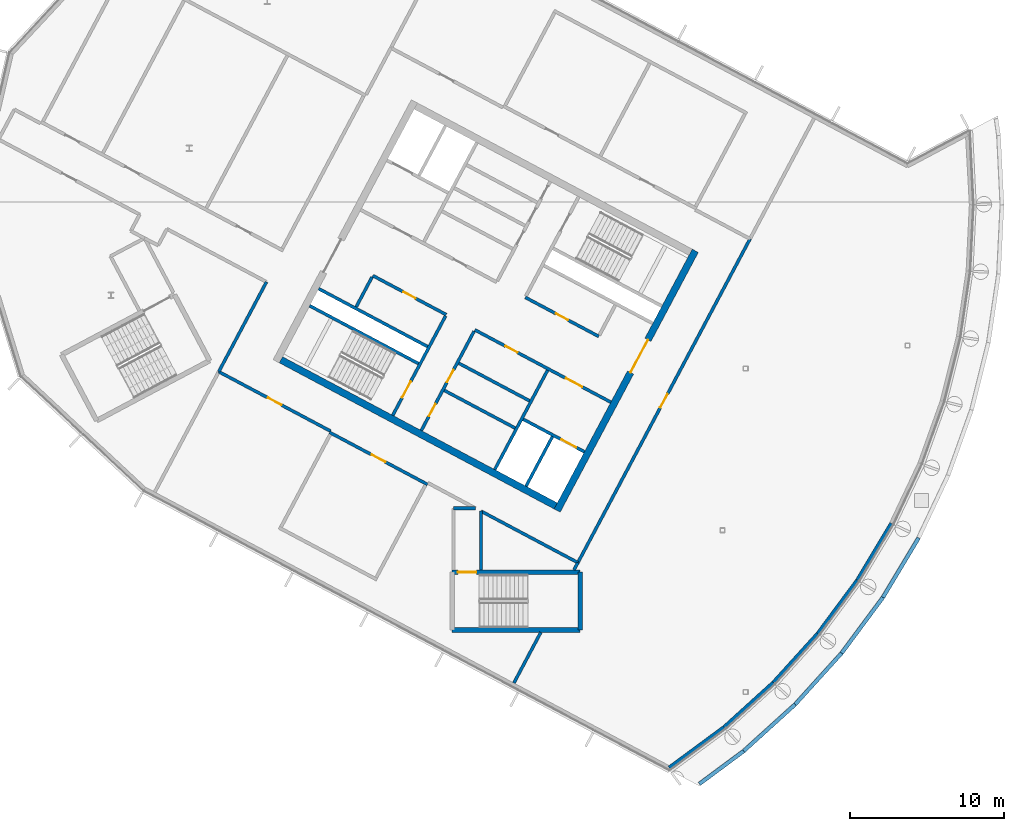
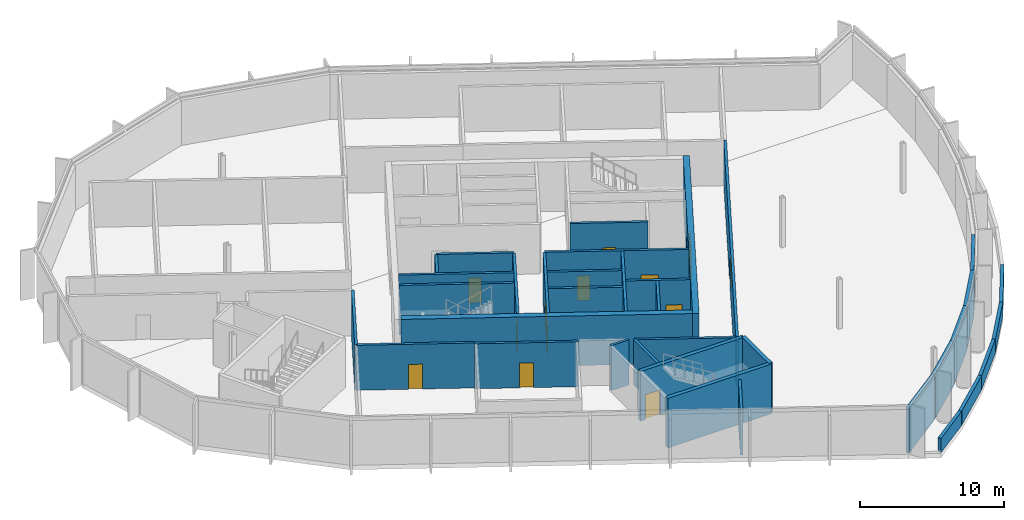
# One storey, part 6 of 15: 37 walls, 13 doors, 13 openings.
"""IFC4 building model written with IfcOpenShell, lengths in metres."""

import ifcopenshell
import ifcopenshell.guid

model = None  # the IFC model being written
_history = None  # IfcOwnerHistory: only IFC2X3 demands one
_inside = {}  # id of a spatial element -> (the spatial element, [elements in it])
_under = {}  # id of a project, library or spatial element -> (it, [spatial elements below it])
_declared = {}  # id of a project -> (the project, [libraries it declares])
_typed = {}  # id of a type object -> (the type object, [elements of that type])
_made_of = {}  # id of a material, layer set ... -> (it, [elements and type objects made of it])


def new_model(schema):
    """Start an empty IFC model of exactly this schema.

    Asked for "IFC4X3", IfcOpenShell would pick the latest addendum, in which some entities
    have other attributes; the version numbers below select the first issue.
    IFC2X3 requires an IfcOwnerHistory on every rooted entity: one is made here for all.
    """
    global model, _history
    if schema == "IFC4X3":
        model = ifcopenshell.file(schema_version=(4, 3, 0, 0))
    else:
        model = ifcopenshell.file(schema=schema)
    _inside.clear()
    _under.clear()
    _declared.clear()
    _typed.clear()
    _made_of.clear()
    _history = None
    if model.schema == "IFC2X3":
        org = make("IfcOrganization", Name="unknown")
        user = make(
            "IfcPersonAndOrganization",
            ThePerson=make("IfcPerson", FamilyName="unknown"),
            TheOrganization=org,
        )
        app = make(
            "IfcApplication",
            ApplicationDeveloper=org,
            Version="unknown",
            ApplicationFullName="unknown",
            ApplicationIdentifier="unknown",
        )
        _history = make(
            "IfcOwnerHistory",
            OwningUser=user,
            OwningApplication=app,
            ChangeAction="ADDED",
            CreationDate=0,
        )
    return model


def make(cls, **values):
    """One entity of the class cls with the attributes given. An attribute that is None is left unset."""
    return model.create_entity(
        cls, **{name: value for name, value in values.items() if value is not None}
    )


def rooted(cls, **values):
    """An entity with a GlobalId (a new one), such as an element, a storey or a relation."""
    return make(cls, GlobalId=ifcopenshell.guid.new(), OwnerHistory=_history, **values)


def si_unit(unit_type, name, prefix=None):
    """IfcSIUnit, for example si_unit("LENGTHUNIT", "METRE", prefix="MILLI")."""
    return make("IfcSIUnit", UnitType=unit_type, Prefix=prefix, Name=name)


def assignment(units):
    """IfcUnitAssignment: the units of a project."""
    return None if units is None else make("IfcUnitAssignment", Units=units)


def point(xyz):
    """IfcCartesianPoint."""
    return None if xyz is None else make("IfcCartesianPoint", Coordinates=xyz)


def direction(xyz):
    """IfcDirection."""
    return None if xyz is None else make("IfcDirection", DirectionRatios=xyz)


def frame(location, z_axis=None, x_axis=None):
    """IfcAxis2Placement3D, a coordinate frame: its origin and axes. An axis left out is left unset."""
    return make(
        "IfcAxis2Placement3D",
        Location=point(location),
        Axis=direction(z_axis),
        RefDirection=direction(x_axis),
    )


def frame_2d(location, x_axis=None):
    """IfcAxis2Placement2D, a coordinate frame in the plane: its origin and x axis."""
    return make(
        "IfcAxis2Placement2D", Location=point(location), RefDirection=direction(x_axis)
    )


def origin():
    """The frame at (0, 0, 0) with its axes left unset."""
    return frame((0.0, 0.0, 0.0))


def place(relative_to, where):
    """IfcLocalPlacement: puts the frame where relative to a parent placement (None: the world)."""
    return make(
        "IfcLocalPlacement", PlacementRelTo=relative_to, RelativePlacement=where
    )


def context(
    kind, dimensions, precision=None, world=None, true_north=None, identifier=None
):
    """IfcGeometricRepresentationContext, for example the 3D "Model" context."""
    return make(
        "IfcGeometricRepresentationContext",
        ContextIdentifier=identifier,
        ContextType=kind,
        CoordinateSpaceDimension=dimensions,
        Precision=precision,
        WorldCoordinateSystem=world,
        TrueNorth=true_north,
    )


def subcontext(parent, identifier, kind, view, scale=None):
    """IfcGeometricRepresentationSubContext, for example "Body" below "Model"."""
    return make(
        "IfcGeometricRepresentationSubContext",
        ContextIdentifier=identifier,
        ContextType=kind,
        ParentContext=parent,
        TargetScale=scale,
        TargetView=view,
    )


def project(units=None, contexts=None):
    """IfcProject with its units and contexts."""
    return rooted(
        "IfcProject",
        Name="project",
        RepresentationContexts=contexts,
        UnitsInContext=assignment(units),
    )


def spatial(cls, under=None, at=None, **own):
    """A site, building, storey or space (cls), placed at a placement, below another one or the project."""
    s = rooted(cls, ObjectPlacement=at, **own)
    if under is not None:
        _under.setdefault(under.id(), (under, []))[1].append(s)
    return s


def profile(cls, at=None, kind="AREA", **sizes):
    """A parametric profile (cls). Its sizes go by their IFC names, for example OverallWidth=200.0."""
    return make(cls, ProfileType=kind, Position=at, **sizes)


def rectangle(**sizes):
    """IfcRectangleProfileDef."""
    return profile("IfcRectangleProfileDef", **sizes)


def extrude(swept, where, along, depth):
    """IfcExtrudedAreaSolid: the profile swept, set in the frame where, extruded along a direction by depth."""
    return make(
        "IfcExtrudedAreaSolid",
        SweptArea=swept,
        Position=where,
        ExtrudedDirection=direction(along),
        Depth=depth,
    )


def shape(context_of_items, identifier, shape_type, items):
    """IfcShapeRepresentation: the items that make up one representation, for example the "Body"."""
    return make(
        "IfcShapeRepresentation",
        ContextOfItems=context_of_items,
        RepresentationIdentifier=identifier,
        RepresentationType=shape_type,
        Items=items,
    )


def material(Name=None, Category=None):
    """IfcMaterial."""
    return make("IfcMaterial", Name=Name, Category=Category)


def layer(
    of_material, thickness, ventilated=None, Name=None, Category=None, Priority=None
):
    """IfcMaterialLayer: one layer of a wall or slab, of a material (None: an air gap)."""
    return make(
        "IfcMaterialLayer",
        Material=of_material,
        LayerThickness=thickness,
        IsVentilated=ventilated,
        Name=Name,
        Category=Category,
        Priority=Priority,
    )


def layer_set(layers, Name=None):
    """IfcMaterialLayerSet."""
    return make("IfcMaterialLayerSet", MaterialLayers=layers, LayerSetName=Name)


def made_of(thing, what):
    """Note that an element or type object is made of a material, layer set ...; save() writes the relation."""
    if what is not None:
        _made_of.setdefault(what.id(), (what, []))[1].append(thing)
    return thing


def type_object(cls, material=None, **own):
    """A type object (cls), such as IfcWallType, which elements share."""
    return made_of(rooted(cls, **own), material)


def element(
    cls,
    number,
    at=None,
    inside=None,
    cuts=None,
    type_object=None,
    material=None,
    context=None,
    identifier="Body",
    shape_type=None,
    held_by="IfcProductDefinitionShape",
    body=None,
    shapes=None,
    **own,
):
    """One element of the class cls, such as IfcWall. Its Tag is "e" and its number.

    at: its placement. inside: the storey or other place that contains it. cuts: it is an
    opening in that element (IfcRelVoidsElement). A single representation is given by context,
    identifier, shape_type and body (its items); several are given by shapes. held_by: the class
    of the entity that holds the representations. save() writes the other relations.
    """
    e = rooted(cls, Tag="e%d" % number, ObjectPlacement=at, **own)
    if body is not None:
        shapes = [shape(context, identifier, shape_type, body)]
    if shapes is not None:
        e.Representation = make(held_by, Representations=shapes)
    if inside is not None:
        _inside.setdefault(inside.id(), (inside, []))[1].append(e)
    if cuts is not None:
        rooted(
            "IfcRelVoidsElement", RelatingBuildingElement=cuts, RelatedOpeningElement=e
        )
    if type_object is not None:
        _typed.setdefault(type_object.id(), (type_object, []))[1].append(e)
    return made_of(e, material)


def fill(opening, filler):
    """IfcRelFillsElement: the door or window that sits in an opening."""
    return rooted(
        "IfcRelFillsElement",
        RelatingOpeningElement=opening,
        RelatedBuildingElement=filler,
    )


def aggregate(whole, parts):
    """IfcRelAggregates: a whole, such as a stair, and the parts it consists of."""
    return rooted("IfcRelAggregates", RelatingObject=whole, RelatedObjects=parts)


def save(model, path):
    """Write the relations noted so far, then the file.

    IfcRelAggregates (storeys below a building ...), IfcRelContainedInSpatialStructure (elements
    in a storey), IfcRelDefinesByType, IfcRelAssociatesMaterial and IfcRelDeclares: one each for
    every whole, place, type object, material and project.
    """
    for whole, parts in _under.values():
        aggregate(whole, parts)
    for where, things in _inside.values():
        rooted(
            "IfcRelContainedInSpatialStructure",
            RelatedElements=things,
            RelatingStructure=where,
        )
    for kind, things in _typed.values():
        rooted("IfcRelDefinesByType", RelatedObjects=things, RelatingType=kind)
    for what, things in _made_of.values():
        rooted("IfcRelAssociatesMaterial", RelatedObjects=things, RelatingMaterial=what)
    for by, libraries in _declared.values():
        rooted("IfcRelDeclares", RelatingContext=by, RelatedDefinitions=libraries)
    model.write(path)


model = new_model("IFC4")

# Units and contexts
model_context = context("Model", 3, precision=1e-05, world=origin(), true_north=direction((0.0, 1.0)))
body_context = subcontext(model_context, "Body", "Model", "MODEL_VIEW")
ifc_project = project(units=[si_unit("LENGTHUNIT", "METRE"), si_unit("AREAUNIT", "SQUARE_METRE"), si_unit("VOLUMEUNIT", "CUBIC_METRE"), si_unit("PLANEANGLEUNIT", "RADIAN"), si_unit("MASSUNIT", "GRAM", prefix="KILO")], contexts=[model_context])

# Site, building, storey
site_placement = place(None, origin())
site = spatial("IfcSite", under=ifc_project, at=site_placement, CompositionType="ELEMENT")
building_placement = place(site_placement, origin())
building = spatial("IfcBuilding", under=site, at=building_placement, Name="Cormorant Relay Tower", CompositionType="ELEMENT")
storey_placement = place(building_placement, frame((0.0, 0.0, 332.39990234375)))
storey = spatial("IfcBuildingStorey", under=building, at=storey_placement, Name="C2", CompositionType="ELEMENT", Elevation=332.39990234375)

# Walls
ifc_material_1 = material(Name="Concrete 40 MPa", Category="concrete")
ifc_layer_1 = layer(ifc_material_1, 0.199951171875)
ifc_layer_set_1 = layer_set([ifc_layer_1], Name="Core internal wall 200")
wall_type_1 = type_object("IfcWallType", Name="Core internal wall 200", PredefinedType="SOLIDWALL", material=ifc_layer_set_1)
wall_1_placement = place(storey_placement, frame((-25.46728515625, 6.632568359375, 0.0), z_axis=(0.0, 0.0, 1.0), x_axis=(-0.882953967957, 0.469459572775, 0.0)))
element("IfcWall", 1, at=wall_1_placement, inside=storey, type_object=wall_type_1, Name="C2 core A shaft and room wall", PredefinedType="SOLIDWALL", context=body_context, shape_type="SweptSolid", body=[
    extrude(rectangle(XDim=5.199951171875, YDim=0.199951171875, at=frame_2d((2.60009765625, 0.0))), origin(), (0.0, 0.0, 1.0), 4.2001953125),
])
ifc_material_2 = material(Name="Concrete 50 MPa", Category="concrete")
ifc_layer_2 = layer(ifc_material_2, 0.199951171875)
ifc_layer_set_2 = layer_set([ifc_layer_2], Name="Core shaft wall 200")
wall_type_2 = type_object("IfcWallType", Name="Core shaft wall 200", PredefinedType="SHEAR", material=ifc_layer_set_2)
wall_2_placement = place(storey_placement, frame((-23.04296875, 6.07958984375, 0.0), z_axis=(0.0, 0.0, 1.0), x_axis=(-0.469494272526, -0.882935517501, 0.0)))
element("IfcWall", 2, at=wall_2_placement, inside=storey, type_object=wall_type_2, Name="C2 core A shaft wall", PredefinedType="SHEAR", context=body_context, shape_type="SweptSolid", body=[
    extrude(rectangle(XDim=3.64990234375, YDim=0.199951171875, at=frame_2d((1.824951171875, 0.0))), origin(), (0.0, 0.0, 1.0), 4.2001953125),
])
wall_3_placement = place(storey_placement, frame((-23.360107421875, 10.38232421875, 0.0), z_axis=(0.0, 0.0, 1.0), x_axis=(-0.469480409012, -0.88294288918, 0.0)))
element("IfcWall", 3, at=wall_3_placement, inside=storey, type_object=wall_type_2, Name="C2 core A shaft wall", PredefinedType="SHEAR", context=body_context, shape_type="SweptSolid", body=[
    extrude(rectangle(XDim=7.300048828125, YDim=0.199951171875, at=frame_2d((3.64990234375, 0.0))), origin(), (0.0, 0.0, 1.0), 4.2001953125),
])

# Wall, openings, doors
wall_4_placement = place(storey_placement, frame((-28.128173828125, 12.91748046875, 0.0), z_axis=(0.0, 0.0, 1.0), x_axis=(-0.469454336211, -0.882956752176, 0.0)))
wall_4 = element("IfcWall", 4, at=wall_4_placement, inside=storey, type_object=wall_type_2, Name="C2 core A shaft wall", PredefinedType="SHEAR", context=body_context, shape_type="SweptSolid", body=[
    extrude(rectangle(XDim=7.300048828125, YDim=0.199951171875, at=frame_2d((3.64990234375, 0.0))), origin(), (0.0, 0.0, 1.0), 4.2001953125),
])
opening_1_placement = place(wall_4_placement, frame((2.85009765625, 0.0, 0.0)))
opening_1 = element("IfcOpeningElement", 5, at=opening_1_placement, cuts=wall_4, Name="Opening CDD-367", PredefinedType="OPENING", context=body_context, shape_type="SweptSolid", body=[
    extrude(rectangle(XDim=0.89990234375, YDim=2.10009765625, at=frame_2d((0.449951171875, 1.050048828125))), frame((0.0, 0.10986328125, 0.0), z_axis=(0.0, -1.0, 0.0), x_axis=(1.0, 0.0, 0.0)), (0.0, 0.0, 1.0), 0.219970703125),
])
opening_2_placement = place(wall_4_placement, frame((5.35009765625, 0.0, 0.0)))
opening_2 = element("IfcOpeningElement", 6, at=opening_2_placement, cuts=wall_4, Name="Opening CDD-368", PredefinedType="OPENING", context=body_context, shape_type="SweptSolid", body=[
    extrude(rectangle(XDim=0.89990234375, YDim=2.10009765625, at=frame_2d((0.449951171875, 1.050048828125))), frame((0.0, 0.10986328125, 0.0), z_axis=(0.0, -1.0, 0.0), x_axis=(1.0, 0.0, 0.0)), (0.0, 0.0, 1.0), 0.219970703125),
])
ifc_material_3 = material(Name="Steel fire door", Category="steel")
door_type_1 = type_object("IfcDoorType", Name="Core room door 900x2100", OperationType="SINGLE_SWING_LEFT", PredefinedType="DOOR", material=ifc_material_3)
door_1_placement = place(opening_1_placement, origin())
door_1 = element("IfcDoor", 7, at=door_1_placement, inside=storey, type_object=door_type_1, Name="Core room door 900x2100", OperationType="SINGLE_SWING_LEFT", OverallHeight=2.10009765625, OverallWidth=0.89990234375, PredefinedType="DOOR", context=body_context, shape_type="SweptSolid", body=[
    extrude(rectangle(XDim=0.89990234375, YDim=2.10009765625, at=frame_2d((0.449951171875, 1.050048828125))), frame((0.0, 0.02490234375, 0.0), z_axis=(0.0, -1.0, 0.0), x_axis=(1.0, 0.0, 0.0)), (0.0, 0.0, 1.0), 0.050048828125),
])
fill(opening_1, door_1)
door_2_placement = place(opening_2_placement, origin())
door_2 = element("IfcDoor", 8, at=door_2_placement, inside=storey, type_object=door_type_1, Name="Core room door 900x2100", OperationType="SINGLE_SWING_LEFT", OverallHeight=2.10009765625, OverallWidth=0.89990234375, PredefinedType="DOOR", context=body_context, shape_type="SweptSolid", body=[
    extrude(rectangle(XDim=0.89990234375, YDim=2.10009765625, at=frame_2d((0.449951171875, 1.050048828125))), frame((0.0, 0.02490234375, 0.0), z_axis=(0.0, -1.0, 0.0), x_axis=(1.0, 0.0, 0.0)), (0.0, 0.0, 1.0), 0.050048828125),
])
fill(opening_2, door_2)

# Wall, opening, door
wall_5_placement = place(storey_placement, frame((-29.982421875, 13.9033203125, 0.0), z_axis=(0.0, 0.0, 1.0), x_axis=(-0.469454336211, -0.882956752176, 0.0)))
wall_5 = element("IfcWall", 9, at=wall_5_placement, inside=storey, type_object=wall_type_2, Name="C2 core A shaft wall", PredefinedType="SHEAR", context=body_context, shape_type="SweptSolid", body=[
    extrude(rectangle(XDim=7.300048828125, YDim=0.199951171875, at=frame_2d((3.64990234375, 0.0))), origin(), (0.0, 0.0, 1.0), 4.2001953125),
])
opening_3_placement = place(wall_5_placement, frame((4.800048828125, 0.0, 0.0)))
opening_3 = element("IfcOpeningElement", 10, at=opening_3_placement, cuts=wall_5, Name="Opening CDB-045", PredefinedType="OPENING", context=body_context, shape_type="SweptSolid", body=[
    extrude(rectangle(XDim=1.199951171875, YDim=2.10009765625, at=frame_2d((0.60009765625, 1.050048828125))), frame((0.0, 0.10986328125, 0.0), z_axis=(0.0, -1.0, 0.0), x_axis=(1.0, 0.0, 0.0)), (0.0, 0.0, 1.0), 0.219970703125),
])
ifc_material_4 = material(Name="Steel fire door", Category="steel")
door_type_2 = type_object("IfcDoorType", Name="Core stair door 1200x2100", OperationType="SINGLE_SWING_LEFT", PredefinedType="DOOR", material=ifc_material_4)
door_3_placement = place(opening_3_placement, frame((1.199951171875, 0.0, 0.0), z_axis=(0.0, 0.0, 1.0), x_axis=(-1.0, 0.0, 0.0)))
door_3 = element("IfcDoor", 11, at=door_3_placement, inside=storey, type_object=door_type_2, Name="Core stair door 1200x2100", OperationType="SINGLE_SWING_RIGHT", OverallHeight=2.10009765625, OverallWidth=1.199951171875, PredefinedType="DOOR", context=body_context, shape_type="SweptSolid", body=[
    extrude(rectangle(XDim=1.199951171875, YDim=2.10009765625, at=frame_2d((0.60009765625, 1.050048828125))), frame((0.0, 0.02490234375, 0.0), z_axis=(0.0, -1.0, 0.0), x_axis=(1.0, 0.0, 0.0)), (0.0, 0.0, 1.0), 0.050048828125),
])
fill(opening_3, door_3)

# Wall
wall_6_placement = place(storey_placement, frame((-34.750244140625, 16.4384765625, 0.0), z_axis=(0.0, 0.0, 1.0), x_axis=(-0.469401318492, -0.882984938828, 0.0)))
element("IfcWall", 12, at=wall_6_placement, inside=storey, type_object=wall_type_2, Name="C2 core A shaft wall", PredefinedType="SHEAR", context=body_context, shape_type="SweptSolid", body=[
    extrude(rectangle(XDim=2.199951171875, YDim=0.199951171875, at=frame_2d((1.10009765625, 0.0))), origin(), (0.0, 0.0, 1.0), 4.2001953125),
])

# Wall, opening, door
wall_7_placement = place(storey_placement, frame((-20.03955078125, 12.58056640625, 0.0), z_axis=(0.0, 0.0, 1.0), x_axis=(-0.882942972946, 0.469480251476, 0.0)))
wall_7 = element("IfcWall", 13, at=wall_7_placement, inside=storey, type_object=wall_type_2, Name="C2 core A shaft wall", PredefinedType="SHEAR", context=body_context, shape_type="SweptSolid", body=[
    extrude(rectangle(XDim=5.39990234375, YDim=0.199951171875, at=frame_2d((2.699951171875, 0.0))), origin(), (0.0, 0.0, 1.0), 4.2001953125),
])
opening_4_placement = place(wall_7_placement, frame((2.25, 0.0, 0.0)))
opening_4 = element("IfcOpeningElement", 14, at=opening_4_placement, cuts=wall_7, Name="Opening CDD-365", PredefinedType="OPENING", context=body_context, shape_type="SweptSolid", body=[
    extrude(rectangle(XDim=0.89990234375, YDim=2.10009765625, at=frame_2d((0.449951171875, 1.050048828125))), frame((0.0, 0.10986328125, 0.0), z_axis=(0.0, -1.0, 0.0), x_axis=(1.0, 0.0, 0.0)), (0.0, 0.0, 1.0), 0.219970703125),
])
door_4_placement = place(opening_4_placement, origin())
door_4 = element("IfcDoor", 15, at=door_4_placement, inside=storey, type_object=door_type_1, Name="Core room door 900x2100", OperationType="SINGLE_SWING_LEFT", OverallHeight=2.10009765625, OverallWidth=0.89990234375, PredefinedType="DOOR", context=body_context, shape_type="SweptSolid", body=[
    extrude(rectangle(XDim=0.89990234375, YDim=2.10009765625, at=frame_2d((0.449951171875, 1.050048828125))), frame((0.0, 0.02490234375, 0.0), z_axis=(0.0, -1.0, 0.0), x_axis=(1.0, 0.0, 0.0)), (0.0, 0.0, 1.0), 0.050048828125),
])
fill(opening_4, door_4)

# Wall, openings, doors
wall_8_placement = place(storey_placement, frame((-19.251708984375, 8.31103515625, 0.0), z_axis=(0.0, 0.0, 1.0), x_axis=(-0.882955722218, 0.469456273365, 0.0)))
wall_8 = element("IfcWall", 16, at=wall_8_placement, inside=storey, type_object=wall_type_2, Name="C2 core A shaft wall", PredefinedType="SHEAR", context=body_context, shape_type="SweptSolid", body=[
    extrude(rectangle(XDim=10.0, YDim=0.199951171875, at=frame_2d((5.0, 0.0))), origin(), (0.0, 0.0, 1.0), 4.2001953125),
])
opening_5_placement = place(wall_8_placement, frame((2.10009765625, 0.0, 0.0)))
opening_5 = element("IfcOpeningElement", 17, at=opening_5_placement, cuts=wall_8, Name="Opening CDC-040", PredefinedType="OPENING", context=body_context, shape_type="SweptSolid", body=[
    extrude(rectangle(XDim=1.199951171875, YDim=2.10009765625, at=frame_2d((0.60009765625, 1.050048828125))), frame((0.0, 0.10986328125, 0.0), z_axis=(0.0, -1.0, 0.0), x_axis=(1.0, 0.0, 0.0)), (0.0, 0.0, 1.0), 0.219970703125),
])
opening_6_placement = place(wall_8_placement, frame((6.85009765625, 0.0, 0.0)))
opening_6 = element("IfcOpeningElement", 18, at=opening_6_placement, cuts=wall_8, Name="Opening CDD-363", PredefinedType="OPENING", context=body_context, shape_type="SweptSolid", body=[
    extrude(rectangle(XDim=0.89990234375, YDim=2.10009765625, at=frame_2d((0.449951171875, 1.050048828125))), frame((0.0, 0.10986328125, 0.0), z_axis=(0.0, -1.0, 0.0), x_axis=(1.0, 0.0, 0.0)), (0.0, 0.0, 1.0), 0.219970703125),
])
ifc_material_5 = material(Name="Steel fire door", Category="steel")
door_type_3 = type_object("IfcDoorType", Name="Core lobby door 1200x2100", OperationType="SINGLE_SWING_LEFT", PredefinedType="DOOR", material=ifc_material_5)
door_5_placement = place(opening_5_placement, origin())
door_5 = element("IfcDoor", 19, at=door_5_placement, inside=storey, type_object=door_type_3, Name="Core lobby door 1200x2100", OperationType="SINGLE_SWING_RIGHT", OverallHeight=2.10009765625, OverallWidth=1.199951171875, PredefinedType="DOOR", context=body_context, shape_type="SweptSolid", body=[
    extrude(rectangle(XDim=1.199951171875, YDim=2.10009765625, at=frame_2d((0.60009765625, 1.050048828125))), frame((0.0, 0.02490234375, 0.0), z_axis=(0.0, -1.0, 0.0), x_axis=(1.0, 0.0, 0.0)), (0.0, 0.0, 1.0), 0.050048828125),
])
fill(opening_5, door_5)
door_6_placement = place(opening_6_placement, origin())
door_6 = element("IfcDoor", 20, at=door_6_placement, inside=storey, type_object=door_type_1, Name="Core room door 900x2100", OperationType="SINGLE_SWING_LEFT", OverallHeight=2.10009765625, OverallWidth=0.89990234375, PredefinedType="DOOR", context=body_context, shape_type="SweptSolid", body=[
    extrude(rectangle(XDim=0.89990234375, YDim=2.10009765625, at=frame_2d((0.449951171875, 1.050048828125))), frame((0.0, 0.02490234375, 0.0), z_axis=(0.0, -1.0, 0.0), x_axis=(1.0, 0.0, 0.0)), (0.0, 0.0, 1.0), 0.050048828125),
])
fill(opening_6, door_6)

# Wall, opening, door
wall_9_placement = place(storey_placement, frame((-29.935302734375, 13.991455078125, 0.0), z_axis=(0.0, 0.0, 1.0), x_axis=(-0.882952937579, 0.469461510692, 0.0)))
wall_9 = element("IfcWall", 21, at=wall_9_placement, inside=storey, type_object=wall_type_2, Name="C2 core A shaft wall", PredefinedType="SHEAR", context=body_context, shape_type="SweptSolid", body=[
    extrude(rectangle(XDim=5.400146484375, YDim=0.199951171875, at=frame_2d((2.7001953125, 0.0))), origin(), (0.0, 0.0, 1.0), 4.2001953125),
])
opening_7_placement = place(wall_9_placement, frame((2.25, 0.0, 0.0)))
opening_7 = element("IfcOpeningElement", 22, at=opening_7_placement, cuts=wall_9, Name="Opening CDD-364", PredefinedType="OPENING", context=body_context, shape_type="SweptSolid", body=[
    extrude(rectangle(XDim=0.89990234375, YDim=2.10009765625, at=frame_2d((0.449951171875, 1.050048828125))), frame((0.0, 0.10986328125, 0.0), z_axis=(0.0, -1.0, 0.0), x_axis=(1.0, 0.0, 0.0)), (0.0, 0.0, 1.0), 0.219970703125),
])
door_7_placement = place(opening_7_placement, origin())
door_7 = element("IfcDoor", 23, at=door_7_placement, inside=storey, type_object=door_type_1, Name="Core room door 900x2100", OperationType="SINGLE_SWING_LEFT", OverallHeight=2.10009765625, OverallWidth=0.89990234375, PredefinedType="DOOR", context=body_context, shape_type="SweptSolid", body=[
    extrude(rectangle(XDim=0.89990234375, YDim=2.10009765625, at=frame_2d((0.449951171875, 1.050048828125))), frame((0.0, 0.02490234375, 0.0), z_axis=(0.0, -1.0, 0.0), x_axis=(1.0, 0.0, 0.0)), (0.0, 0.0, 1.0), 0.050048828125),
])
fill(opening_7, door_7)

# Walls
wall_10_placement = place(storey_placement, frame((-24.5283203125, 8.3984375, 0.0), z_axis=(0.0, 0.0, 1.0), x_axis=(-0.882953967957, 0.469459572775, 0.0)))
element("IfcWall", 24, at=wall_10_placement, inside=storey, type_object=wall_type_2, Name="C2 core A shaft wall", PredefinedType="SHEAR", context=body_context, shape_type="SweptSolid", body=[
    extrude(rectangle(XDim=5.199951171875, YDim=0.199951171875, at=frame_2d((2.60009765625, 0.0))), origin(), (0.0, 0.0, 1.0), 4.2001953125),
])
wall_11_placement = place(storey_placement, frame((-31.150390625, 11.91943359375, 0.0), z_axis=(0.0, 0.0, 1.0), x_axis=(-0.882940221191, 0.469485426614, 0.0)))
element("IfcWall", 25, at=wall_11_placement, inside=storey, type_object=wall_type_2, Name="C2 core A shaft wall", PredefinedType="SHEAR", context=body_context, shape_type="SweptSolid", body=[
    extrude(rectangle(XDim=8.0, YDim=0.199951171875, at=frame_2d((4.0, 0.0))), origin(), (0.0, 0.0, 1.0), 4.2001953125),
])

# Wall, opening, door
wall_12_placement = place(storey_placement, frame((-20.96533203125, 5.088134765625, 0.0), z_axis=(0.0, 0.0, 1.0), x_axis=(-0.882925986334, 0.469512196493, 0.0)))
wall_12 = element("IfcWall", 26, at=wall_12_placement, inside=storey, type_object=wall_type_2, Name="C2 core A shaft wall", PredefinedType="SHEAR", context=body_context, shape_type="SweptSolid", body=[
    extrude(rectangle(XDim=4.5, YDim=0.199951171875, at=frame_2d((2.25, 0.0))), origin(), (0.0, 0.0, 1.0), 4.2001953125),
])
opening_8_placement = place(wall_12_placement, frame((0.60009765625, 0.0, 0.0)))
opening_8 = element("IfcOpeningElement", 27, at=opening_8_placement, cuts=wall_12, Name="Opening LD1-069", PredefinedType="OPENING", context=body_context, shape_type="SweptSolid", body=[
    extrude(rectangle(XDim=1.10009765625, YDim=2.10009765625, at=frame_2d((0.550048828125, 1.050048828125))), frame((0.0, 0.10986328125, 0.0), z_axis=(0.0, -1.0, 0.0), x_axis=(1.0, 0.0, 0.0)), (0.0, 0.0, 1.0), 0.219970703125),
])
ifc_material_6 = material(Name="Stainless steel 316", Category="steel")
door_type_4 = type_object("IfcDoorType", Name="Lift landing door 1100x2100", OperationType="DOUBLE_DOOR_SLIDING", PredefinedType="DOOR", material=ifc_material_6)
door_8_placement = place(opening_8_placement, origin())
door_8 = element("IfcDoor", 28, at=door_8_placement, inside=storey, type_object=door_type_4, Name="FF1 landing door", OperationType="DOUBLE_DOOR_SLIDING", OverallHeight=2.10009765625, OverallWidth=1.10009765625, PredefinedType="DOOR", context=body_context, shape_type="SweptSolid", body=[
    extrude(rectangle(XDim=1.10009765625, YDim=2.10009765625, at=frame_2d((0.550048828125, 1.050048828125))), frame((0.0, 0.02490234375, 0.0), z_axis=(0.0, -1.0, 0.0), x_axis=(1.0, 0.0, 0.0)), (0.0, 0.0, 1.0), 0.050048828125),
])
fill(opening_8, door_8)

# Wall
wall_13_placement = place(storey_placement, frame((-31.7373046875, 10.815673828125, 0.0), z_axis=(0.0, 0.0, 1.0), x_axis=(-0.882940221191, 0.469485426614, 0.0)))
element("IfcWall", 29, at=wall_13_placement, inside=storey, type_object=wall_type_2, Name="C2 core A shaft wall", PredefinedType="SHEAR", context=body_context, shape_type="SweptSolid", body=[
    extrude(rectangle(XDim=8.0, YDim=0.199951171875, at=frame_2d((4.0, 0.0))), origin(), (0.0, 0.0, 1.0), 4.2001953125),
])

# Wall, opening, door
ifc_material_7 = material(Name="Concrete 50 MPa", Category="concrete")
ifc_layer_3 = layer(ifc_material_7, 0.449951171875)
ifc_layer_set_3 = layer_set([ifc_layer_3], Name="Core wall 450")
wall_type_3 = type_object("IfcWallType", Name="Core wall 450", PredefinedType="SHEAR", material=ifc_layer_set_3)
wall_14_placement = place(storey_placement, frame((-13.771484375, 18.138427734375, 0.0), z_axis=(0.0, 0.0, 1.0), x_axis=(-0.469467968382, -0.882949504028, 0.0)))
wall_14 = element("IfcWall", 30, at=wall_14_placement, inside=storey, type_object=wall_type_3, Name="C2 core A wall", PredefinedType="SHEAR", context=body_context, shape_type="SweptSolid", body=[
    extrude(rectangle(XDim=19.099853515625, YDim=0.449951171875, at=frame_2d((9.5498046875, 0.0))), origin(), (0.0, 0.0, 1.0), 4.2001953125),
])
opening_9_placement = place(wall_14_placement, frame((6.550048828125, 0.0, 0.0)))
opening_9 = element("IfcOpeningElement", 31, at=opening_9_placement, cuts=wall_14, Name="Opening CDA-060", PredefinedType="OPENING", context=body_context, shape_type="SweptSolid", body=[
    extrude(rectangle(XDim=2.39990234375, YDim=2.39990234375, at=frame_2d((1.199951171875, 1.199951171875))), frame((0.0, 0.23486328125, 0.0), z_axis=(0.0, -1.0, 0.0), x_axis=(1.0, 0.0, 0.0)), (0.0, 0.0, 1.0), 0.469970703125),
])
ifc_material_8 = material(Name="Steel fire door", Category="steel")
door_type_5 = type_object("IfcDoorType", Name="Core lobby door 2400x2400", OperationType="DOUBLE_DOOR_SINGLE_SWING", PredefinedType="DOOR", material=ifc_material_8)
door_9_placement = place(opening_9_placement, origin())
door_9 = element("IfcDoor", 32, at=door_9_placement, inside=storey, type_object=door_type_5, Name="Core lobby door 2400x2400", OperationType="DOUBLE_DOOR_SINGLE_SWING", OverallHeight=2.39990234375, OverallWidth=2.39990234375, PredefinedType="DOOR", context=body_context, shape_type="SweptSolid", body=[
    extrude(rectangle(XDim=2.39990234375, YDim=2.39990234375, at=frame_2d((1.199951171875, 1.199951171875))), frame((0.0, 0.02490234375, 0.0), z_axis=(0.0, -1.0, 0.0), x_axis=(1.0, 0.0, 0.0)), (0.0, 0.0, 1.0), 0.050048828125),
])
fill(opening_9, door_9)

# Wall
wall_15_placement = place(storey_placement, frame((-22.83154296875, 1.578369140625, 0.0), z_axis=(0.0, 0.0, 1.0), x_axis=(-0.88294509198, 0.469476266226, 0.0)))
element("IfcWall", 33, at=wall_15_placement, inside=storey, type_object=wall_type_3, Name="C2 core A wall", PredefinedType="SHEAR", context=body_context, shape_type="SweptSolid", body=[
    extrude(rectangle(XDim=20.199951171875, YDim=0.449951171875, at=frame_2d((10.10009765625, 0.0))), origin(), (0.0, 0.0, 1.0), 4.2001953125),
])

# Wall, opening, door
ifc_material_9 = material(Name="Concrete 30 MPa block wall", Category="concrete")
ifc_layer_4 = layer(ifc_material_9, 0.199951171875)
ifc_layer_set_4 = layer_set([ifc_layer_4], Name="Crown plant room wall 200")
wall_type_4 = type_object("IfcWallType", Name="Crown plant room wall 200", PredefinedType="PARTITIONING", material=ifc_layer_set_4)
wall_16_placement = place(storey_placement, frame((-31.15087890625, 2.972412109375, 0.0), z_axis=(0.0, 0.0, 1.0), x_axis=(-0.882950149473, 0.469466754463, 0.0)))
wall_16 = element("IfcWall", 34, at=wall_16_placement, inside=storey, type_object=wall_type_4, Name="Plant room wall", PredefinedType="PARTITIONING", context=body_context, shape_type="SweptSolid", body=[
    extrude(rectangle(XDim=7.199951171875, YDim=0.199951171875, at=frame_2d((3.60009765625, 0.0))), origin(), (0.0, 0.0, 1.0), 3.7998046875),
])
opening_10_placement = place(wall_16_placement, frame((3.10009765625, 0.0, 0.0)))
opening_10 = element("IfcOpeningElement", 35, at=opening_10_placement, cuts=wall_16, Name="Opening CRD1-001", PredefinedType="OPENING", context=body_context, shape_type="SweptSolid", body=[
    extrude(rectangle(XDim=1.0, YDim=2.10009765625, at=frame_2d((0.5, 1.050048828125))), frame((0.0, 0.10986328125, 0.0), z_axis=(0.0, -1.0, 0.0), x_axis=(1.0, 0.0, 0.0)), (0.0, 0.0, 1.0), 0.219970703125),
])
ifc_material_10 = material(Name="Galvanised sheet steel ASTM A653 framed door leaf", Category="steel")
door_type_6 = type_object("IfcDoorType", Name="Crown door single 1000", OperationType="SINGLE_SWING_LEFT", PredefinedType="DOOR", material=ifc_material_10)
door_10_placement = place(opening_10_placement, origin())
door_10 = element("IfcDoor", 36, at=door_10_placement, inside=storey, type_object=door_type_6, Name="Chiller plant room door", OperationType="SINGLE_SWING_LEFT", OverallHeight=2.10009765625, OverallWidth=1.0, PredefinedType="DOOR", context=body_context, shape_type="SweptSolid", body=[
    extrude(rectangle(XDim=1.0, YDim=2.10009765625, at=frame_2d((0.5, 1.050048828125))), frame((0.0, 0.02490234375, 0.0), z_axis=(0.0, -1.0, 0.0), x_axis=(1.0, 0.0, 0.0)), (0.0, 0.0, 1.0), 0.050048828125),
])
fill(opening_10, door_10)

# Walls
wall_17_placement = place(storey_placement, frame((-44.701171875, 10.29052734375, 0.0), z_axis=(0.0, 0.0, 1.0), x_axis=(0.469444770229, 0.882961838193, 0.0)))
element("IfcWall", 37, at=wall_17_placement, inside=storey, type_object=wall_type_4, Name="Plant room wall", PredefinedType="PARTITIONING", context=body_context, shape_type="SweptSolid", body=[
    extrude(rectangle(XDim=6.595947265625, YDim=0.199951171875, at=frame_2d((3.2978515625, 0.0))), origin(), (0.0, 0.0, 1.0), 3.7998046875),
])
wall_18_placement = place(storey_placement, frame((-21.391357421875, -2.103515625, 0.0), z_axis=(0.0, 0.0, 1.0), x_axis=(-0.882952949239, 0.469461488761, 0.0)))
element("IfcWall", 38, at=wall_18_placement, inside=storey, type_object=wall_type_4, Name="Plant room wall", PredefinedType="PARTITIONING", context=body_context, shape_type="SweptSolid", body=[
    extrude(rectangle(XDim=7.110107421875, YDim=0.199951171875, at=frame_2d((3.55517578125, 0.0))), origin(), (0.0, 0.0, 1.0), 3.7998046875),
])
wall_19_placement = place(storey_placement, frame((-27.669189453125, 1.234375, 0.0), z_axis=(0.0, 0.0, 1.0), x_axis=(-0.001538163918, -0.999998817025, 0.0)))
element("IfcWall", 39, at=wall_19_placement, inside=storey, type_object=wall_type_4, Name="Plant room wall", PredefinedType="PARTITIONING", context=body_context, shape_type="SweptSolid", body=[
    extrude(rectangle(XDim=3.809326171875, YDim=0.199951171875, at=frame_2d((1.90478515625, 0.0))), origin(), (0.0, 0.0, 1.0), 3.7998046875),
])
wall_20_placement = place(storey_placement, frame((-29.47509765625, 1.4248046875, 0.0), z_axis=(0.0, 0.0, 1.0), x_axis=(0.999999985454, 0.000170561144, 0.0)))
element("IfcWall", 40, at=wall_20_placement, inside=storey, type_object=wall_type_4, Name="Plant room wall", PredefinedType="PARTITIONING", context=body_context, shape_type="SweptSolid", body=[
    extrude(rectangle(XDim=1.431396484375, YDim=0.199951171875, at=frame_2d((0.7158203125, 0.0))), origin(), (0.0, 0.0, 1.0), 3.7998046875),
])

# Wall, opening, door
wall_21_placement = place(storey_placement, frame((-37.443603515625, 6.431396484375, 0.0), z_axis=(0.0, 0.0, 1.0), x_axis=(-0.88293683547, 0.469491793934, 0.0)))
wall_21 = element("IfcWall", 41, at=wall_21_placement, inside=storey, type_object=wall_type_4, Name="Plant room wall", PredefinedType="PARTITIONING", context=body_context, shape_type="SweptSolid", body=[
    extrude(rectangle(XDim=8.2197265625, YDim=0.199951171875, at=frame_2d((4.10986328125, 0.0))), origin(), (0.0, 0.0, 1.0), 3.7998046875),
])
opening_11_placement = place(wall_21_placement, frame((3.610107421875, 0.0, 0.0)))
opening_11 = element("IfcOpeningElement", 42, at=opening_11_placement, cuts=wall_21, Name="Opening CRD1-009", PredefinedType="OPENING", context=body_context, shape_type="SweptSolid", body=[
    extrude(rectangle(XDim=1.0, YDim=2.10009765625, at=frame_2d((0.5, 1.050048828125))), frame((0.0, 0.10986328125, 0.0), z_axis=(0.0, -1.0, 0.0), x_axis=(1.0, 0.0, 0.0)), (0.0, 0.0, 1.0), 0.219970703125),
])
door_11_placement = place(opening_11_placement, origin())
door_11 = element("IfcDoor", 43, at=door_11_placement, inside=storey, type_object=door_type_6, Name="Cooling tower pump room door", OperationType="SINGLE_SWING_LEFT", OverallHeight=2.10009765625, OverallWidth=1.0, PredefinedType="DOOR", context=body_context, shape_type="SweptSolid", body=[
    extrude(rectangle(XDim=1.0, YDim=2.10009765625, at=frame_2d((0.5, 1.050048828125))), frame((0.0, 0.02490234375, 0.0), z_axis=(0.0, -1.0, 0.0), x_axis=(1.0, 0.0, 0.0)), (0.0, 0.0, 1.0), 0.050048828125),
])
fill(opening_11, door_11)

wall_22_placement = place(storey_placement, frame((-10.218017578125, 18.91064453125, 0.0), z_axis=(0.0, 0.0, 1.0), x_axis=(-0.469468702847, -0.882949113509, 0.0)))
wall_22 = element("IfcWall", 44, at=wall_22_placement, inside=storey, type_object=wall_type_4, Name="Plant room wall", PredefinedType="PARTITIONING", context=body_context, shape_type="SweptSolid", body=[
    extrude(rectangle(XDim=23.800048828125, YDim=0.199951171875, at=frame_2d((11.89990234375, 0.0))), origin(), (0.0, 0.0, 1.0), 3.7998046875),
])
opening_12_placement = place(wall_22_placement, frame((11.39990234375, 0.0, 0.0)))
opening_12 = element("IfcOpeningElement", 45, at=opening_12_placement, cuts=wall_22, Name="Opening CRD1-015", PredefinedType="OPENING", context=body_context, shape_type="SweptSolid", body=[
    extrude(rectangle(XDim=1.0, YDim=2.10009765625, at=frame_2d((0.5, 1.050048828125))), frame((0.0, 0.10986328125, 0.0), z_axis=(0.0, -1.0, 0.0), x_axis=(1.0, 0.0, 0.0)), (0.0, 0.0, 1.0), 0.219970703125),
])
door_12_placement = place(opening_12_placement, origin())
door_12 = element("IfcDoor", 46, at=door_12_placement, inside=storey, type_object=door_type_6, Name="Telecom equipment hall door", OperationType="SINGLE_SWING_LEFT", OverallHeight=2.10009765625, OverallWidth=1.0, PredefinedType="DOOR", context=body_context, shape_type="SweptSolid", body=[
    extrude(rectangle(XDim=1.0, YDim=2.10009765625, at=frame_2d((0.5, 1.050048828125))), frame((0.0, 0.02490234375, 0.0), z_axis=(0.0, -1.0, 0.0), x_axis=(1.0, 0.0, 0.0)), (0.0, 0.0, 1.0), 0.050048828125),
])
fill(opening_12, door_12)

# Walls
wall_23_placement = place(storey_placement, frame((-21.392333984375, -2.10302734375, 0.0), z_axis=(0.0, 0.0, 1.0), x_axis=(-0.469544796689, -0.882908649806, 0.0)))
element("IfcWall", 47, at=wall_23_placement, inside=storey, type_object=wall_type_4, Name="Plant room wall", PredefinedType="PARTITIONING", context=body_context, shape_type="SweptSolid", body=[
    extrude(rectangle(XDim=0.534423828125, YDim=0.199951171875, at=frame_2d((0.26708984375, 0.0))), origin(), (0.0, 0.0, 1.0), 3.7998046875),
])
wall_24_placement = place(storey_placement, frame((-23.796630859375, -6.625, 0.0), z_axis=(0.0, 0.0, 1.0), x_axis=(-0.469466372195, -0.882950352726, 0.0)))
element("IfcWall", 48, at=wall_24_placement, inside=storey, type_object=wall_type_4, Name="Plant room wall", PredefinedType="PARTITIONING", context=body_context, shape_type="SweptSolid", body=[
    extrude(rectangle(XDim=3.728759765625, YDim=0.199951171875, at=frame_2d((1.8642578125, 0.0))), origin(), (0.0, 0.0, 1.0), 3.7998046875),
])
ifc_material_11 = material(Name="Bronze cladding on Concrete 30 MPa block wall", Category="concrete")
ifc_layer_5 = layer(ifc_material_11, 0.25)
ifc_layer_set_5 = layer_set([ifc_layer_5], Name="Crown wall 250")
wall_type_5 = type_object("IfcWallType", Name="Crown wall 250", PredefinedType="STANDARD", material=ifc_layer_set_5)
wall_25_placement = place(storey_placement, frame((-1.03857421875, 0.44384765625, 0.0), z_axis=(0.0, 0.0, 1.0), x_axis=(-0.514070418809, -0.857747984262, 0.0)))
element("IfcWall", 49, at=wall_25_placement, inside=storey, type_object=wall_type_5, Name="Crown wall C2", PredefinedType="STANDARD", context=body_context, shape_type="SweptSolid", body=[
    extrude(rectangle(XDim=4.3056640625, YDim=0.25, at=frame_2d((2.15283203125, 0.0))), origin(), (0.0, 0.0, 1.0), 3.7998046875),
])
wall_26_placement = place(storey_placement, frame((-3.251953125, -3.249267578125, 0.0), z_axis=(0.0, 0.0, 1.0), x_axis=(-0.595691197008, -0.803213544338, 0.0)))
element("IfcWall", 50, at=wall_26_placement, inside=storey, type_object=wall_type_5, Name="Crown wall C2", PredefinedType="STANDARD", context=body_context, shape_type="SweptSolid", body=[
    extrude(rectangle(XDim=4.305908203125, YDim=0.25, at=frame_2d((2.15283203125, 0.0))), origin(), (0.0, 0.0, 1.0), 3.7998046875),
])
for number, where, z_axis, x_axis, name in (
    (51, (-5.81689453125, -6.707763671875, 0.0), (0.0, 0.0, 1.0), (-0.671582661378, -0.740929638317, 0.0), "Crown wall C2"),
    (52, (-8.70849609375, -9.89794921875, 0.0), (0.0, 0.0, 1.0), (-0.740929638317, -0.671582661378, 0.0), "Crown wall C2"),
):
    element("IfcWall", number, at=place(storey_placement, frame(where, z_axis=z_axis, x_axis=x_axis)), inside=storey, type_object=wall_type_5, Name=name, PredefinedType="STANDARD", context=body_context, shape_type="SweptSolid", body=[
        extrude(rectangle(XDim=4.3056640625, YDim=0.25, at=frame_2d((2.15283203125, 0.0))), origin(), (0.0, 0.0, 1.0), 3.7998046875),
    ])
wall_27_placement = place(storey_placement, frame((-11.898681640625, -12.78955078125, 0.0), z_axis=(0.0, 0.0, 1.0), x_axis=(-0.804885474006, -0.593430175955, 0.0)))
element("IfcWall", 53, at=wall_27_placement, inside=storey, type_object=wall_type_5, Name="Crown wall C2", PredefinedType="STANDARD", context=body_context, shape_type="SweptSolid", body=[
    extrude(rectangle(XDim=4.43115234375, YDim=0.25, at=frame_2d((2.215576171875, 0.0))), origin(), (0.0, 0.0, 1.0), 3.7998046875),
])
ifc_material_12 = material(Name="Bronze cladding on Concrete 30 MPa block wall", Category="concrete")
ifc_layer_6 = layer(ifc_material_12, 0.25)
ifc_layer_set_6 = layer_set([ifc_layer_6], Name="Parapet 250")
wall_type_6 = type_object("IfcWallType", Name="Parapet 250", PredefinedType="PARAPET", material=ifc_layer_set_6)
for number, where, z_axis, x_axis, name in (
    (54, (0.725341796875, -0.4990234375, 0.0), (0.0, 0.0, 1.0), (-0.514088981588, -0.857736858838, 0.0), "Terrace parapet C1"),
    (55, (-1.589111328125, -4.360595703125, 0.0), (0.0, 0.0, 1.0), (-0.595713780135, -0.80319679541, 0.0), "Terrace parapet C1"),
    (56, (-4.27099609375, -7.9765625, 0.0), (0.0, 0.0, 1.0), (-0.671546409099, -0.740962495964, 0.0), "Terrace parapet C1"),
    (57, (-7.294189453125, -11.312255859375, 0.0), (0.0, 0.0, 1.0), (-0.740962495964, -0.671546409099, 0.0), "Terrace parapet C1"),
):
    element("IfcWall", number, at=place(storey_placement, frame(where, z_axis=z_axis, x_axis=x_axis)), inside=storey, type_object=wall_type_6, Name=name, PredefinedType="PARAPET", context=body_context, shape_type="SweptSolid", body=[
        extrude(rectangle(XDim=4.501953125, YDim=0.25, at=frame_2d((2.2509765625, 0.0))), origin(), (0.0, 0.0, 1.0), 1.2001953125),
    ])
wall_28_placement = place(storey_placement, frame((-10.6298828125, -14.33544921875, 0.0), z_axis=(0.0, 0.0, 1.0), x_axis=(-0.80322666935, -0.595673499197, 0.0)))
element("IfcWall", 58, at=wall_28_placement, inside=storey, type_object=wall_type_6, Name="Terrace parapet C1", PredefinedType="PARAPET", context=body_context, shape_type="SweptSolid", body=[
    extrude(rectangle(XDim=3.573486328125, YDim=0.25, at=frame_2d((1.78662109375, 0.0))), origin(), (0.0, 0.0, 1.0), 1.2001953125),
])
ifc_material_13 = material(Name="Concrete 50 MPa", Category="concrete")
ifc_layer_7 = layer(ifc_material_13, 0.300048828125)
ifc_layer_set_7 = layer_set([ifc_layer_7], Name="Remote stair wall 300")
wall_type_7 = type_object("IfcWallType", Name="Remote stair wall 300", PredefinedType="SHEAR", material=ifc_layer_set_7)
wall_29_placement = place(storey_placement, frame((-21.25, -2.72509765625, 0.0), z_axis=(0.0, 0.0, 1.0), x_axis=(0.0, -1.0, 0.0)))
element("IfcWall", 59, at=wall_29_placement, inside=storey, type_object=wall_type_7, Name="C2 exit stair RC1 wall", PredefinedType="SHEAR", context=body_context, shape_type="SweptSolid", body=[
    extrude(rectangle(XDim=3.75, YDim=0.300048828125, at=frame_2d((1.875, 0.0))), origin(), (0.0, 0.0, 1.0), 4.2001953125),
])
wall_30_placement = place(storey_placement, frame((-21.25, -6.47509765625, 0.0), z_axis=(0.0, 0.0, 1.0), x_axis=(-1.0, 0.0, 0.0)))
element("IfcWall", 60, at=wall_30_placement, inside=storey, type_object=wall_type_7, Name="C2 exit stair RC1 wall", PredefinedType="SHEAR", context=body_context, shape_type="SweptSolid", body=[
    extrude(rectangle(XDim=8.300048828125, YDim=0.300048828125, at=frame_2d((4.14990234375, 0.0))), origin(), (0.0, 0.0, 1.0), 4.2001953125),
])

# Wall, opening, door
wall_31_placement = place(storey_placement, frame((-29.550048828125, -2.72509765625, 0.0), z_axis=(0.0, 0.0, 1.0), x_axis=(1.0, 0.0, 0.0)))
wall_31 = element("IfcWall", 61, at=wall_31_placement, inside=storey, type_object=wall_type_7, Name="C2 exit stair RC1 wall", PredefinedType="SHEAR", context=body_context, shape_type="SweptSolid", body=[
    extrude(rectangle(XDim=8.300048828125, YDim=0.300048828125, at=frame_2d((4.14990234375, 0.0))), origin(), (0.0, 0.0, 1.0), 4.2001953125),
])
opening_13_placement = place(wall_31_placement, frame((0.375, 0.0, 0.0)))
opening_13 = element("IfcOpeningElement", 62, at=opening_13_placement, cuts=wall_31, Name="Opening CDB-046", PredefinedType="OPENING", context=body_context, shape_type="SweptSolid", body=[
    extrude(rectangle(XDim=1.199951171875, YDim=2.10009765625, at=frame_2d((0.60009765625, 1.050048828125))), frame((0.0, 0.159912109375, 0.0), z_axis=(0.0, -1.0, 0.0), x_axis=(1.0, 0.0, 0.0)), (0.0, 0.0, 1.0), 0.320068359375),
])
door_13_placement = place(opening_13_placement, frame((1.199951171875, 0.0, 0.0), z_axis=(0.0, 0.0, 1.0), x_axis=(-1.0, 0.0, 0.0)))
door_13 = element("IfcDoor", 63, at=door_13_placement, inside=storey, type_object=door_type_2, Name="Exit stair RC1 door", OperationType="SINGLE_SWING_RIGHT", OverallHeight=2.10009765625, OverallWidth=1.199951171875, PredefinedType="DOOR", context=body_context, shape_type="SweptSolid", body=[
    extrude(rectangle(XDim=1.199951171875, YDim=2.10009765625, at=frame_2d((0.60009765625, 1.050048828125))), frame((0.0, 0.02490234375, 0.0), z_axis=(0.0, -1.0, 0.0), x_axis=(1.0, 0.0, 0.0)), (0.0, 0.0, 1.0), 0.050048828125),
])
fill(opening_13, door_13)

save(model, "model.ifc")
